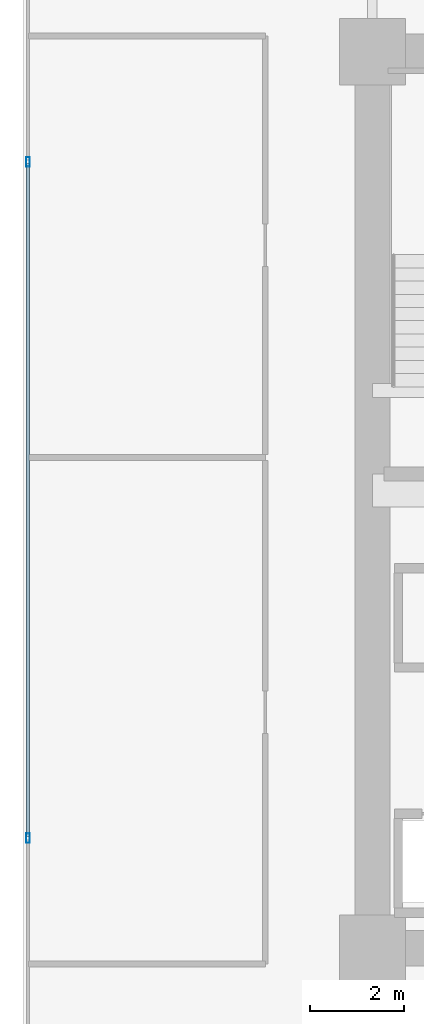
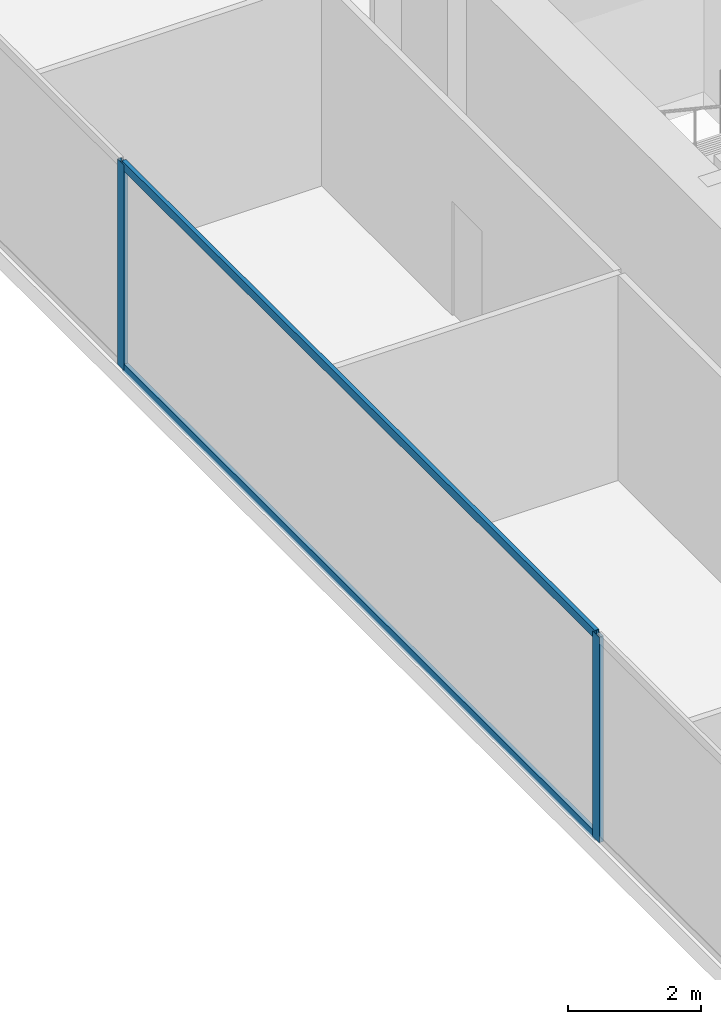
# One storey, part 6 of 35: 4 members, 1 element without a shape of its own.
"""IFC4 building model written with IfcOpenShell, lengths in metres."""

from ifc_helpers import new_model, si_unit, direction, frame, origin, origin_2d, place, context, subcontext, project, spatial, hollow_rectangle, extrude, source, transform, mapped, material, layer, layer_set, material_profile, profile_set, type_object, type_shapes, element, aggregate, save


model = new_model("IFC4")

# Units and contexts
model_context = context("Model", 3, precision=1e-05, world=origin(), true_north=direction((0.0, 1.0)))
body_context = subcontext(model_context, "Body", "Model", "MODEL_VIEW")
ifc_project = project(units=[si_unit("LENGTHUNIT", "METRE"), si_unit("AREAUNIT", "SQUARE_METRE"), si_unit("VOLUMEUNIT", "CUBIC_METRE"), si_unit("PLANEANGLEUNIT", "RADIAN"), si_unit("MASSUNIT", "GRAM", prefix="KILO")], contexts=[model_context])

# Site, building, storey
site_placement = place(None, origin())
site = spatial("IfcSite", under=ifc_project, at=site_placement, CompositionType="ELEMENT")
building_placement = place(site_placement, origin())
building = spatial("IfcBuilding", under=site, at=building_placement, Name="Haelvirn Gate Laboratories", CompositionType="ELEMENT")
storey_placement = place(building_placement, frame((0.0, 0.0, 41.60009765625)))
storey = spatial("IfcBuildingStorey", under=building, at=storey_placement, Name="L10", CompositionType="ELEMENT", Elevation=41.60009765625)

# Curtain wall, members
ifc_material_1 = material(Name="Anodised bronze unitised aluminium & triple low-E glass", Category="aluminium")
ifc_layer = layer(ifc_material_1, 0.18408203125, Name="CW-SYS-2")
ifc_layer_set = layer_set([ifc_layer], Name="Anodised bronze unitised aluminium & triple low-E glass")
curtain_wall_type = type_object("IfcCurtainWallType", Name="CW-SYS-2", PredefinedType="NOTDEFINED", material=ifc_layer_set)
curtain_wall_placement = place(storey_placement, origin())
curtain_wall = element("IfcCurtainWall", 1, at=curtain_wall_placement, inside=storey, type_object=curtain_wall_type, Name="L10 Unitised Curtain Wall CW-L10-P0-E17", PredefinedType="NOTDEFINED")
ifc_material_2 = material(Name="Extruded aluminium 6063-T6 (anodised bronze)", Category="aluminium")
ifc_material_profile_1 = material_profile(ifc_material_2, hollow_rectangle(XDim=0.070068359375, YDim=0.159912109375, WallThickness=0.0048828125, at=origin_2d()), Name="CWT-160x70x5")
ifc_profile_set_1 = profile_set([ifc_material_profile_1], Name="Extruded aluminium 6063-T6 (anodised bronze)")
member_type_1 = type_object("IfcMemberType", Name="CWT-T160", PredefinedType="USERDEFINED", material=ifc_profile_set_1)
shared_shape_1 = source(origin(), body_context, "Body", "SweptSolid", [
    extrude(hollow_rectangle(XDim=0.070068359375, YDim=0.159912109375, WallThickness=0.0048828125, at=origin_2d()), origin(), (0.0, 0.0, 1.0), 14.25830078125),
])
type_shapes(member_type_1, [shared_shape_1])
member_1_placement = place(storey_placement, frame((0.10009765625, 31.42919921875, 0.034912109375), z_axis=(0.0, -1.0, 0.0), x_axis=(1.0, 0.0, 0.0)))
member_1 = element("IfcMember", 2, at=member_1_placement, type_object=member_type_1, Name="CW2 transom 2.1", ObjectType="TRANSOM", PredefinedType="USERDEFINED", context=body_context, shape_type="MappedRepresentation", body=[
    mapped(shared_shape_1, transform((0.0, 0.0, 0.0), scale=1.0)),
])
member_2_placement = place(storey_placement, frame((0.10009765625, 31.42919921875, 3.744873046875), z_axis=(0.0, -1.0, 0.0), x_axis=(1.0, 0.0, 0.0)))
member_2 = element("IfcMember", 3, at=member_2_placement, type_object=member_type_1, Name="CW2 transom 2.2", ObjectType="TRANSOM", PredefinedType="USERDEFINED", context=body_context, shape_type="MappedRepresentation", body=[
    mapped(shared_shape_1, transform((0.0, 0.0, 0.0), scale=1.0)),
])
ifc_material_profile_2 = material_profile(ifc_material_2, hollow_rectangle(XDim=0.074951171875, YDim=0.199951171875, WallThickness=0.0048828125, at=origin_2d()), Name="CWM-200x75x5")
ifc_profile_set_2 = profile_set([ifc_material_profile_2], Name="Extruded aluminium 6063-T6 (anodised bronze)")
member_type_2 = type_object("IfcMemberType", Name="CWM-T200", PredefinedType="MULLION", material=ifc_profile_set_2)
shared_shape_2 = source(origin(), body_context, "Body", "SweptSolid", [
    extrude(hollow_rectangle(XDim=0.074951171875, YDim=0.199951171875, WallThickness=0.0048828125, at=origin_2d()), origin(), (0.0, 0.0, 1.0), 3.77978515625),
])
type_shapes(member_type_2, [shared_shape_2])
member_3_placement = place(storey_placement, frame((0.10009765625, 31.466552734375, 0.0), z_axis=(0.0, 0.0, 1.0), x_axis=(1.0, 0.0, 0.0)))
member_3 = element("IfcMember", 4, at=member_3_placement, type_object=member_type_2, Name="CW2 mullion 2", PredefinedType="MULLION", context=body_context, shape_type="MappedRepresentation", body=[
    mapped(shared_shape_2, transform((0.0, 0.0, 0.0), scale=1.0)),
])
member_4_placement = place(storey_placement, frame((0.10009765625, 17.13330078125, 0.0), z_axis=(0.0, 0.0, 1.0), x_axis=(1.0, 0.0, 0.0)))
member_4 = element("IfcMember", 5, at=member_4_placement, type_object=member_type_2, Name="CW2 mullion 3", PredefinedType="MULLION", context=body_context, shape_type="MappedRepresentation", body=[
    mapped(shared_shape_2, transform((0.0, 0.0, 0.0), scale=1.0)),
])
aggregate(curtain_wall, [member_3, member_4, member_1, member_2])

save(model, "model.ifc")
